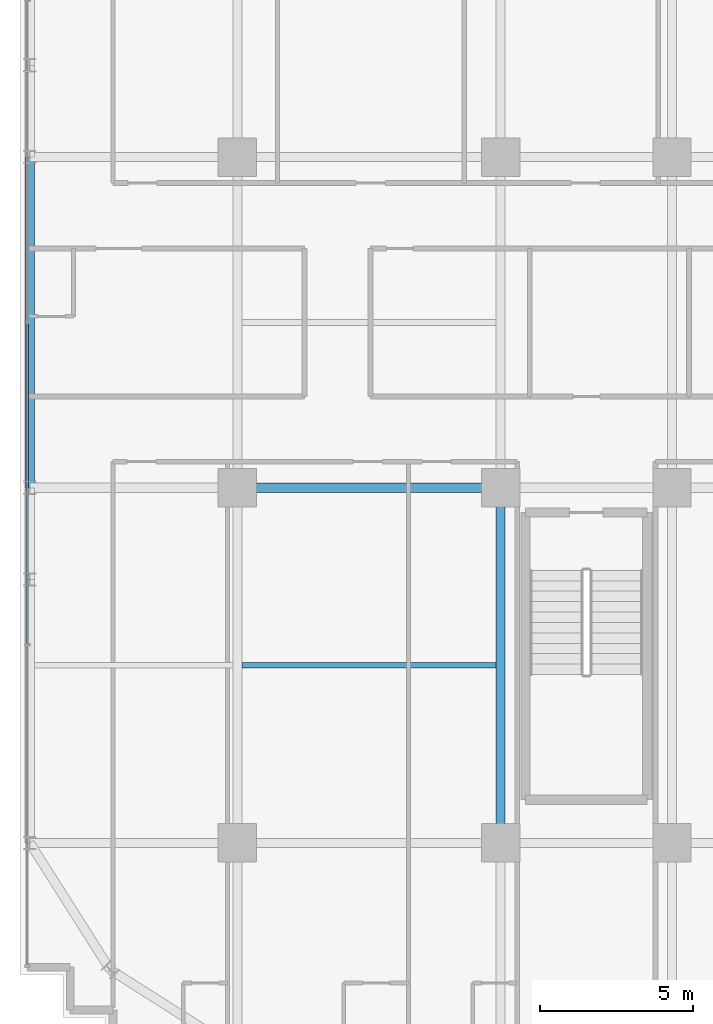
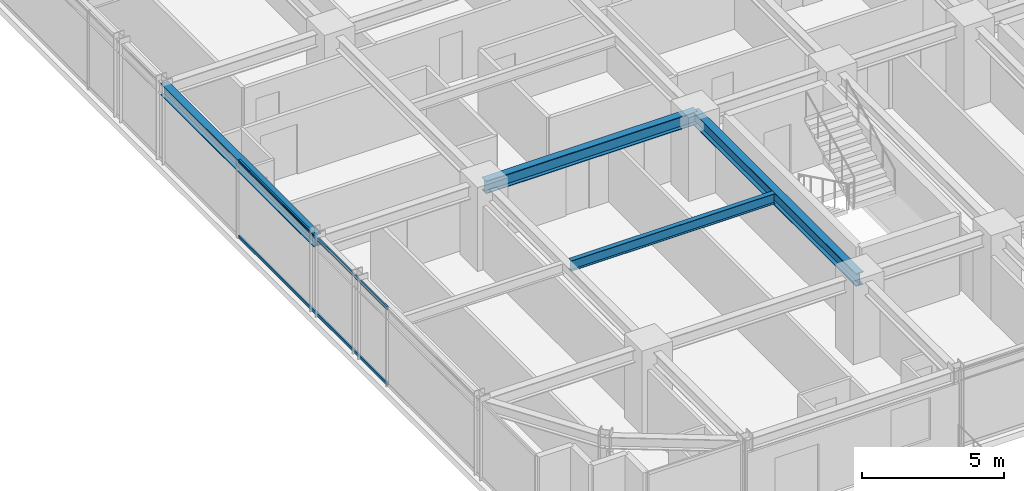
# One storey, part 8 of 33: 4 beams, 2 members, 1 element without a shape of its own.
"""IFC4 building model written with IfcOpenShell, lengths in metres."""

from ifc_helpers import new_model, si_unit, direction, frame, origin, origin_2d, place, context, subcontext, project, spatial, hollow_rectangle, i_section, extrude, source, transform, mapped, material, material_profile, profile_set, type_object, element, aggregate, save


model = new_model("IFC4")

# Units and contexts
model_context = context("Model", 3, precision=1e-05, world=origin(), true_north=direction((0.0, 1.0)))
body_context = subcontext(model_context, "Body", "Model", "MODEL_VIEW")
ifc_project = project(units=[si_unit("LENGTHUNIT", "METRE"), si_unit("AREAUNIT", "SQUARE_METRE"), si_unit("VOLUMEUNIT", "CUBIC_METRE"), si_unit("PLANEANGLEUNIT", "RADIAN"), si_unit("MASSUNIT", "GRAM", prefix="KILO")], contexts=[model_context])

# Site, building, storey
site_placement = place(None, origin())
site = spatial("IfcSite", under=ifc_project, at=site_placement, CompositionType="ELEMENT")
building_placement = place(site_placement, origin())
building = spatial("IfcBuilding", under=site, at=building_placement, Name="Nahalor Promenade Grand Hotel", CompositionType="ELEMENT")
storey_placement = place(building_placement, frame((0.0, 0.0, 132.10009765625)))
storey = spatial("IfcBuildingStorey", under=building, at=storey_placement, Name="L33", CompositionType="ELEMENT", Elevation=132.10009765625)

# Beams
ifc_material_1 = material(Name="Steel S355JR", Category="steel")
ifc_material_profile_1 = material_profile(ifc_material_1, i_section(OverallWidth=0.3, OverallDepth=0.5, WebThickness=0.0145, FlangeThickness=0.028, at=origin_2d()), Name="HEB 500")
ifc_profile_set_1 = profile_set([ifc_material_profile_1], Name="Steel S355JR")
beam_type_1 = type_object("IfcBeamType", Name="Beam-Spandrel-HEB500", PredefinedType="SPANDREL", material=ifc_profile_set_1)
shared_shape_1 = source(origin(), body_context, "Body", "SweptSolid", [
    extrude(i_section(OverallWidth=0.3, OverallDepth=0.5, WebThickness=0.0145, FlangeThickness=0.028, at=origin_2d()), origin(), (0.0, 0.0, 1.0), 10.7998046875),
])
beam_1_placement = place(storey_placement, frame((-23.780029296875, -5.39990234375, 3.1298828125), z_axis=(0.0, 1.0, 0.0), x_axis=(-1.0, 0.0, 0.0)))
element("IfcBeam", 1, at=beam_1_placement, inside=storey, type_object=beam_type_1, Name="BM-L33-SP-W-2", PredefinedType="SPANDREL", context=body_context, shape_type="MappedRepresentation", body=[
    mapped(shared_shape_1, transform((0.0, 0.0, 0.0), scale=1.0)),
])
ifc_material_profile_2 = material_profile(ifc_material_1, i_section(OverallWidth=0.3, OverallDepth=0.55, WebThickness=0.015, FlangeThickness=0.029, at=origin_2d()), Name="HEB 550")
ifc_profile_set_2 = profile_set([ifc_material_profile_2], Name="Steel S355JR")
beam_type_2 = type_object("IfcBeamType", Name="Beam-Girder-HEB550", PredefinedType="BEAM", material=ifc_profile_set_2)
shared_shape_2 = source(origin(), body_context, "Body", "SweptSolid", [
    extrude(i_section(OverallWidth=0.3, OverallDepth=0.55, WebThickness=0.015, FlangeThickness=0.029, at=origin_2d()), origin(), (0.0, 0.0, 1.0), 8.60009765625),
])
beam_2_placement = place(storey_placement, frame((-17.0, -5.39990234375, 3.10498046875), z_axis=(1.0, 0.0, 0.0), x_axis=(0.0, 1.0, 0.0)))
element("IfcBeam", 2, at=beam_2_placement, inside=storey, type_object=beam_type_2, Name="BM-L33-GX-1-1", PredefinedType="BEAM", context=body_context, shape_type="MappedRepresentation", body=[
    mapped(shared_shape_2, transform((0.0, 0.0, 0.0), scale=1.0)),
])
shared_shape_3 = source(origin(), body_context, "Body", "SweptSolid", [
    extrude(i_section(OverallWidth=0.3, OverallDepth=0.55, WebThickness=0.015, FlangeThickness=0.029, at=origin_2d()), origin(), (0.0, 0.0, 1.0), 11.60009765625),
])
beam_3_placement = place(storey_placement, frame((-8.39990234375, -17.0, 3.10498046875), z_axis=(0.0, 1.0, 0.0), x_axis=(-1.0, 0.0, 0.0)))
element("IfcBeam", 3, at=beam_3_placement, inside=storey, type_object=beam_type_2, Name="BM-L33-GY-1-1", PredefinedType="BEAM", context=body_context, shape_type="MappedRepresentation", body=[
    mapped(shared_shape_3, transform((0.0, 0.0, 0.0), scale=1.0)),
])
ifc_material_profile_3 = material_profile(ifc_material_1, i_section(OverallWidth=0.19, OverallDepth=0.45, WebThickness=0.0094, FlangeThickness=0.0146, at=origin_2d()), Name="IPE 450")
ifc_profile_set_3 = profile_set([ifc_material_profile_3], Name="Steel S355JR")
beam_type_3 = type_object("IfcBeamType", Name="Beam-Joist-IPE450", PredefinedType="JOIST", material=ifc_profile_set_3)
shared_shape_4 = source(origin(), body_context, "Body", "SweptSolid", [
    extrude(i_section(OverallWidth=0.19, OverallDepth=0.45, WebThickness=0.0094, FlangeThickness=0.0146, at=origin_2d()), origin(), (0.0, 0.0, 1.0), 8.300048828125),
])
beam_4_placement = place(storey_placement, frame((-16.85009765625, -11.199951171875, 3.15478515625), z_axis=(1.0, 0.0, 0.0), x_axis=(0.0, 1.0, 0.0)))
element("IfcBeam", 4, at=beam_4_placement, inside=storey, type_object=beam_type_3, Name="BM-L33-JSW-0-1", PredefinedType="JOIST", context=body_context, shape_type="MappedRepresentation", body=[
    mapped(shared_shape_4, transform((0.0, 0.0, 0.0), scale=1.0)),
])

# Curtain wall, members
ifc_material_2 = material(Name="Anodised Bronze Aluminium EN AW-6063 T6", Category="aluminium")
curtain_wall_type = type_object("IfcCurtainWallType", Name="CW2 Typical Hotel Flush Bronze Unitised Curtain Wall", PredefinedType="USERDEFINED", material=ifc_material_2)
curtain_wall_placement = place(storey_placement, origin())
curtain_wall = element("IfcCurtainWall", 5, at=curtain_wall_placement, inside=storey, type_object=curtain_wall_type, Name="L33 Curtain Wall CW-L33-W-1", ObjectType="UNITISED_CURTAIN_WALL", PredefinedType="USERDEFINED")
ifc_material_profile_4 = material_profile(ifc_material_2, hollow_rectangle(XDim=0.065, YDim=0.13, WallThickness=0.004, at=origin_2d()), Name="CWT 65x130x4")
ifc_profile_set_4 = profile_set([ifc_material_profile_4], Name="Anodised Bronze Aluminium EN AW-6063 T6")
member_type = type_object("IfcMemberType", Name="CWT2 Typical Bronze Transom 65x130", PredefinedType="USERDEFINED", material=ifc_profile_set_4)
shared_shape_5 = source(origin(), body_context, "Body", "SweptSolid", [
    extrude(hollow_rectangle(XDim=0.065, YDim=0.13, WallThickness=0.004, at=origin_2d()), origin(), (0.0, 0.0, 1.0), 10.465087890625),
])
member_1_placement = place(storey_placement, frame((-23.860107421875, -10.49755859375, 0.06494140625), z_axis=(0.0, 1.0, 0.0), x_axis=(-1.0, 0.0, 0.0)))
member_1 = element("IfcMember", 6, at=member_1_placement, type_object=member_type, Name="CW-L33-W-1 Transom 1-0", ObjectType="TRANSOM", PredefinedType="USERDEFINED", context=body_context, shape_type="MappedRepresentation", body=[
    mapped(shared_shape_5, transform((0.0, 0.0, 0.0), scale=1.0)),
])
member_2_placement = place(storey_placement, frame((-23.860107421875, -10.49755859375, 3.31494140625), z_axis=(0.0, 1.0, 0.0), x_axis=(-1.0, 0.0, 0.0)))
member_2 = element("IfcMember", 7, at=member_2_placement, type_object=member_type, Name="CW-L33-W-1 Transom 1-1", ObjectType="TRANSOM", PredefinedType="USERDEFINED", context=body_context, shape_type="MappedRepresentation", body=[
    mapped(shared_shape_5, transform((0.0, 0.0, 0.0), scale=1.0)),
])
aggregate(curtain_wall, [member_1, member_2])

save(model, "model.ifc")
